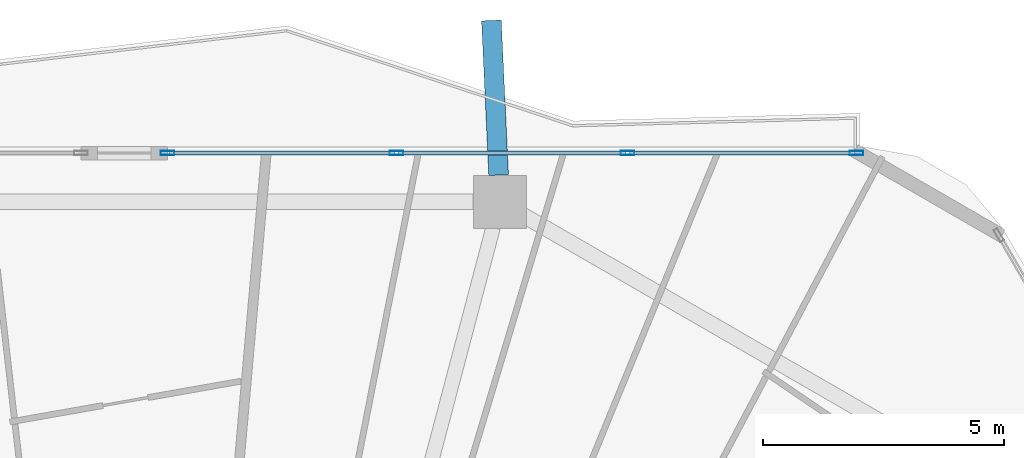
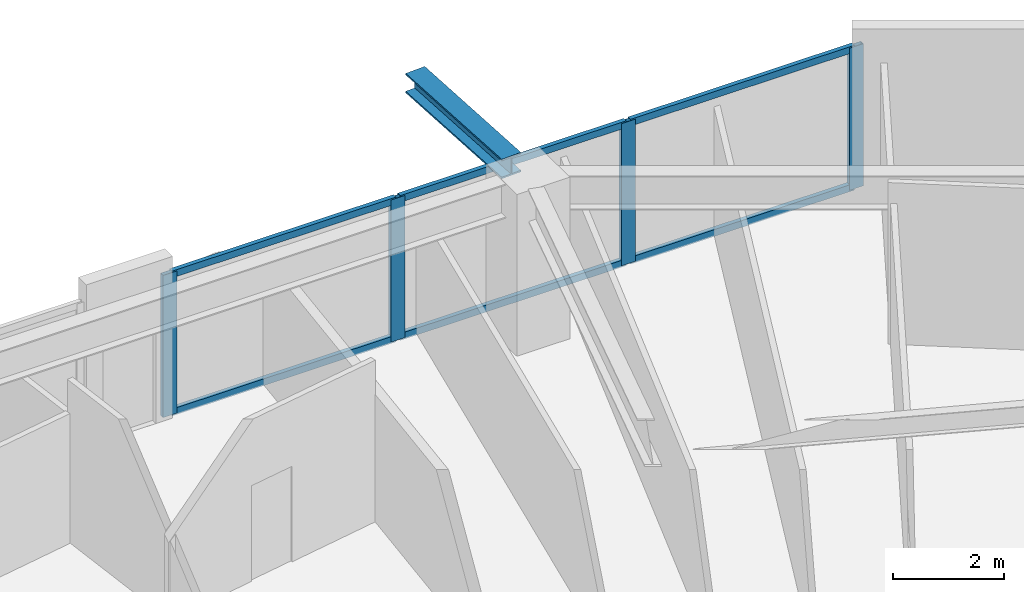
# One storey, part 20 of 33: 10 members, 1 beam, 1 element without a shape of its own.
"""IFC4 building model written with IfcOpenShell, lengths in metres."""

from ifc_helpers import new_model, si_unit, direction, frame, origin, origin_2d, place, context, subcontext, project, spatial, hollow_rectangle, i_section, extrude, material, material_profile, profile_set, type_object, element, aggregate, save


model = new_model("IFC4")

# Units and contexts
model_context = context("Model", 3, precision=1e-05, world=origin(), true_north=direction((0.0, 1.0)))
body_context = subcontext(model_context, "Body", "Model", "MODEL_VIEW")
ifc_project = project(units=[si_unit("LENGTHUNIT", "METRE"), si_unit("AREAUNIT", "SQUARE_METRE"), si_unit("VOLUMEUNIT", "CUBIC_METRE"), si_unit("PLANEANGLEUNIT", "RADIAN"), si_unit("MASSUNIT", "GRAM", prefix="KILO")], contexts=[model_context])

# Site, building, storey
site_placement = place(None, origin())
site = spatial("IfcSite", under=ifc_project, at=site_placement, CompositionType="ELEMENT")
building_placement = place(site_placement, origin())
building = spatial("IfcBuilding", under=site, at=building_placement, Name="Zuhravey Tower", CompositionType="ELEMENT")
storey_placement = place(building_placement, frame((0.0, 0.0, 126.60009765625)))
storey = spatial("IfcBuildingStorey", under=building, at=storey_placement, Name="L31", CompositionType="ELEMENT", Elevation=126.60009765625)

# Curtain wall, members
ifc_material_1 = material(Name="Thermally broken anodised aluminium", Category="aluminium")
curtain_wall_type = type_object("IfcCurtainWallType", Name="Zone 1-2 Residential Curtain Wall CW3", PredefinedType="NOTDEFINED", material=ifc_material_1)
curtain_wall_placement = place(storey_placement, origin())
curtain_wall = element("IfcCurtainWall", 1, at=curtain_wall_placement, inside=storey, type_object=curtain_wall_type, Name="L31 CW3 CW-L31-F2-2", PredefinedType="NOTDEFINED")
ifc_material_2 = material(Name="Anodised aluminium", Category="aluminium")
ifc_material_profile_1 = material_profile(ifc_material_2, hollow_rectangle(XDim=0.090087890625, YDim=0.284912109375, WallThickness=0.0048828125, at=origin_2d()), Name="ALU-RHS-90x285x5")
ifc_profile_set_1 = profile_set([ifc_material_profile_1], Name="Anodised aluminium")
member_type_1 = type_object("IfcMemberType", Name="Curtain-Wall Mullion 90x180", PredefinedType="MULLION", material=ifc_profile_set_1)
member_1_placement = place(storey_placement, frame((36.4873046875, 60.95849609375, 0.0), z_axis=(0.0, 0.0, 1.0), x_axis=(0.0, 1.0, 0.0)))
member_1 = element("IfcMember", 2, at=member_1_placement, type_object=member_type_1, Name="CW3 mullion 1", PredefinedType="MULLION", context=body_context, shape_type="SweptSolid", body=[
    extrude(hollow_rectangle(XDim=0.090087890625, YDim=0.284912109375, WallThickness=0.0048828125, at=origin_2d()), origin(), (0.0, 0.0, 1.0), 3.121826171875),
])
member_2_placement = place(storey_placement, frame((41.22802734375, 60.95849609375, 0.0), z_axis=(0.0, 0.0, 1.0), x_axis=(0.0, 1.0, 0.0)))
member_2 = element("IfcMember", 3, at=member_2_placement, type_object=member_type_1, Name="CW3 mullion 2", PredefinedType="MULLION", context=body_context, shape_type="SweptSolid", body=[
    extrude(hollow_rectangle(XDim=0.090087890625, YDim=0.284912109375, WallThickness=0.0048828125, at=origin_2d()), origin(), (0.0, 0.0, 1.0), 3.121826171875),
])
member_3_placement = place(storey_placement, frame((46.013671875, 60.95849609375, 0.0), z_axis=(0.0, 0.0, 1.0), x_axis=(0.0, 1.0, 0.0)))
member_3 = element("IfcMember", 4, at=member_3_placement, type_object=member_type_1, Name="CW3 mullion 3", PredefinedType="MULLION", context=body_context, shape_type="SweptSolid", body=[
    extrude(hollow_rectangle(XDim=0.090087890625, YDim=0.284912109375, WallThickness=0.0048828125, at=origin_2d()), origin(), (0.0, 0.0, 1.0), 3.121826171875),
])
member_4_placement = place(storey_placement, frame((50.75439453125, 60.95849609375, 0.0), z_axis=(0.0, 0.0, 1.0), x_axis=(0.0, 1.0, 0.0)))
member_4 = element("IfcMember", 5, at=member_4_placement, type_object=member_type_1, Name="CW3 mullion 4", PredefinedType="MULLION", context=body_context, shape_type="SweptSolid", body=[
    extrude(hollow_rectangle(XDim=0.090087890625, YDim=0.284912109375, WallThickness=0.0048828125, at=origin_2d()), origin(), (0.0, 0.0, 1.0), 3.121826171875),
])
ifc_material_profile_2 = material_profile(ifc_material_2, hollow_rectangle(XDim=0.090087890625, YDim=0.14990234375, WallThickness=0.0048828125, at=origin_2d()), Name="ALU-RHS-90x150x5")
ifc_profile_set_2 = profile_set([ifc_material_profile_2], Name="Anodised aluminium")
member_type_2 = type_object("IfcMemberType", Name="Curtain-Wall Transom 90x150", PredefinedType="USERDEFINED", material=ifc_profile_set_2)
member_5_placement = place(storey_placement, frame((36.5322265625, 60.95849609375, 0.044921875), z_axis=(1.0, 0.0, 0.0), x_axis=(0.0, 1.0, 0.0)))
member_5 = element("IfcMember", 6, at=member_5_placement, type_object=member_type_2, Name="CW3 transom 1.1", ObjectType="TRANSOM", PredefinedType="USERDEFINED", context=body_context, shape_type="SweptSolid", body=[
    extrude(hollow_rectangle(XDim=0.090087890625, YDim=0.14990234375, WallThickness=0.0048828125, at=origin_2d()), origin(), (0.0, 0.0, 1.0), 4.65087890625),
])
member_6_placement = place(storey_placement, frame((36.5322265625, 60.95849609375, 3.076904296875), z_axis=(1.0, 0.0, 0.0), x_axis=(0.0, 1.0, 0.0)))
member_6 = element("IfcMember", 7, at=member_6_placement, type_object=member_type_2, Name="CW3 transom 1.2", ObjectType="TRANSOM", PredefinedType="USERDEFINED", context=body_context, shape_type="SweptSolid", body=[
    extrude(hollow_rectangle(XDim=0.090087890625, YDim=0.14990234375, WallThickness=0.0048828125, at=origin_2d()), origin(), (0.0, 0.0, 1.0), 4.65087890625),
])
member_7_placement = place(storey_placement, frame((41.27294921875, 60.95849609375, 0.044921875), z_axis=(1.0, 0.0, 0.0), x_axis=(0.0, 1.0, 0.0)))
member_7 = element("IfcMember", 8, at=member_7_placement, type_object=member_type_2, Name="CW3 transom 2.1", ObjectType="TRANSOM", PredefinedType="USERDEFINED", context=body_context, shape_type="SweptSolid", body=[
    extrude(hollow_rectangle(XDim=0.090087890625, YDim=0.14990234375, WallThickness=0.0048828125, at=origin_2d()), origin(), (0.0, 0.0, 1.0), 4.69580078125),
])
member_8_placement = place(storey_placement, frame((41.27294921875, 60.95849609375, 3.076904296875), z_axis=(1.0, 0.0, 0.0), x_axis=(0.0, 1.0, 0.0)))
member_8 = element("IfcMember", 9, at=member_8_placement, type_object=member_type_2, Name="CW3 transom 2.2", ObjectType="TRANSOM", PredefinedType="USERDEFINED", context=body_context, shape_type="SweptSolid", body=[
    extrude(hollow_rectangle(XDim=0.090087890625, YDim=0.14990234375, WallThickness=0.0048828125, at=origin_2d()), origin(), (0.0, 0.0, 1.0), 4.69580078125),
])
member_9_placement = place(storey_placement, frame((46.058837890625, 60.95849609375, 0.044921875), z_axis=(1.0, 0.0, 0.0), x_axis=(0.0, 1.0, 0.0)))
member_9 = element("IfcMember", 10, at=member_9_placement, type_object=member_type_2, Name="CW3 transom 3.1", ObjectType="TRANSOM", PredefinedType="USERDEFINED", context=body_context, shape_type="SweptSolid", body=[
    extrude(hollow_rectangle(XDim=0.090087890625, YDim=0.14990234375, WallThickness=0.0048828125, at=origin_2d()), origin(), (0.0, 0.0, 1.0), 4.650634765625),
])
member_10_placement = place(storey_placement, frame((46.058837890625, 60.95849609375, 3.076904296875), z_axis=(1.0, 0.0, 0.0), x_axis=(0.0, 1.0, 0.0)))
member_10 = element("IfcMember", 11, at=member_10_placement, type_object=member_type_2, Name="CW3 transom 3.2", ObjectType="TRANSOM", PredefinedType="USERDEFINED", context=body_context, shape_type="SweptSolid", body=[
    extrude(hollow_rectangle(XDim=0.090087890625, YDim=0.14990234375, WallThickness=0.0048828125, at=origin_2d()), origin(), (0.0, 0.0, 1.0), 4.650634765625),
])
aggregate(curtain_wall, [member_1, member_2, member_3, member_4, member_5, member_6, member_7, member_8, member_9, member_10])

# Beam
ifc_material_3 = material(Name="Steel SM460", Category="steel")
ifc_material_profile_3 = material_profile(ifc_material_3, i_section(OverallWidth=0.406982421875, OverallDepth=0.427978515625, WebThickness=0.02001953125, FlangeThickness=0.034912109375, at=origin_2d()), Name="H-428x407x20x35")
ifc_profile_set_3 = profile_set([ifc_material_profile_3], Name="Steel SM460")
beam_type = type_object("IfcBeamType", Name="Exoskeleton Node Tie Beam H428x407", PredefinedType="BEAM", material=ifc_profile_set_3)
beam_placement = place(storey_placement, frame((43.34423828125, 60.50244140625, 3.3359375), z_axis=(-0.046700060299, 0.998908956997, 0.0), x_axis=(-0.998908956997, -0.046700060299, 0.0)))
element("IfcBeam", 12, at=beam_placement, inside=storey, type_object=beam_type, Name="L31 Exoskeleton Node Tie NT1-03", PredefinedType="BEAM", context=body_context, shape_type="SweptSolid", body=[
    extrude(i_section(OverallWidth=0.406982421875, OverallDepth=0.427978515625, WebThickness=0.02001953125, FlangeThickness=0.034912109375, at=origin_2d()), origin(), (0.0, 0.0, 1.0), 3.20458984375),
])

save(model, "model.ifc")
